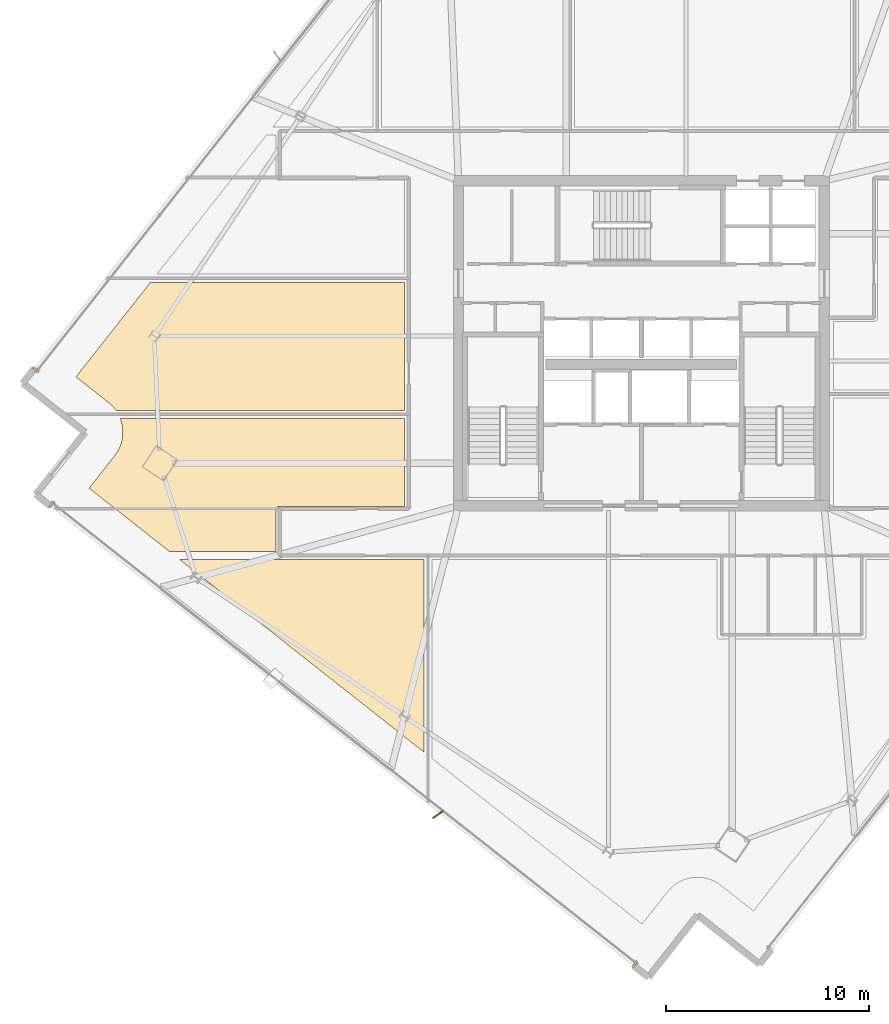
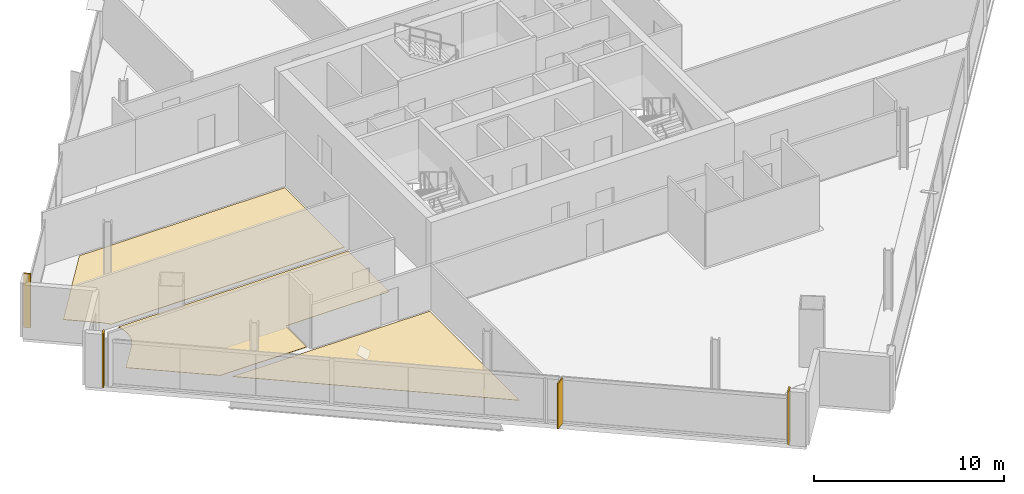
# One storey, part 24 of 28: 6 coverings, 1 shading device.
"""IFC4 building model written with IfcOpenShell, lengths in metres."""

from ifc_helpers import new_model, si_unit, direction, frame, origin, origin_2d, place, context, subcontext, project, spatial, polyline, rectangle, outline, extrude, source, transform, mapped, material, layer, layer_set, type_object, element, save


model = new_model("IFC4")

# Units and contexts
model_context = context("Model", 3, precision=1e-05, world=origin(), true_north=direction((0.0, 1.0)))
body_context = subcontext(model_context, "Body", "Model", "MODEL_VIEW")
ifc_project = project(units=[si_unit("LENGTHUNIT", "METRE"), si_unit("AREAUNIT", "SQUARE_METRE"), si_unit("VOLUMEUNIT", "CUBIC_METRE"), si_unit("PLANEANGLEUNIT", "RADIAN"), si_unit("MASSUNIT", "GRAM", prefix="KILO")], contexts=[model_context])

# Site, building, storey
site_placement = place(None, origin())
site = spatial("IfcSite", under=ifc_project, at=site_placement, CompositionType="ELEMENT")
building_placement = place(site_placement, origin())
building = spatial("IfcBuilding", under=site, at=building_placement, Name="Haldenkirk Collegiate Tower", CompositionType="ELEMENT")
storey_placement = place(building_placement, frame((0.0, 0.0, 202.199951171875)))
storey = spatial("IfcBuildingStorey", under=building, at=storey_placement, Name="L50", CompositionType="ELEMENT", Elevation=202.199951171875)

# Coverings
ifc_material_1 = material(Name="Polished collegiate terrazzo", Category="concrete")
ifc_layer_1 = layer(ifc_material_1, 0.02490234375)
ifc_layer_set_1 = layer_set([ifc_layer_1], Name="Polished collegiate terrazzo")
covering_type_1 = type_object("IfcCoveringType", Name="COV-FLOOR-TERRAZZO", PredefinedType="FLOORING", material=ifc_layer_set_1)
covering_1_placement = place(storey_placement, origin())
element("IfcCovering", 1, at=covering_1_placement, inside=storey, type_object=covering_type_1, Name="L50 academic room finish 08", PredefinedType="FLOORING", context=body_context, shape_type="SweptSolid", body=[
    extrude(outline(polyline([(10.13134765625, 22.699951171875), (10.0322265625, 22.828369140625), (10.0244140625, 22.83740234375), (9.90673828125, 22.96240234375), (9.898193359375, 22.970458984375), (9.768798828125, 23.083251953125), (9.76416015625, 23.0869140625), (8.169921875, 24.34375), (11.8408203125, 29.0), (24.35009765625, 29.0), (24.35009765625, 22.699951171875), (10.13134765625, 22.699951171875)])), origin(), (0.0, 0.0, 1.0), 0.025146484375),
])
ifc_material_2 = material(Name="Engineered collegiate oak acoustic flooring", Category="wood")
ifc_layer_2 = layer(ifc_material_2, 0.02197265625)
ifc_layer_set_2 = layer_set([ifc_layer_2], Name="Engineered collegiate oak acoustic flooring")
covering_type_2 = type_object("IfcCoveringType", Name="COV-FLOOR-TIMBER", PredefinedType="FLOORING", material=ifc_layer_set_2)
covering_2_placement = place(storey_placement, origin())
element("IfcCovering", 2, at=covering_2_placement, inside=storey, type_object=covering_type_2, Name="L50 academic room finish 01", PredefinedType="FLOORING", context=body_context, shape_type="SweptSolid", body=[
    extrude(outline(polyline([(13.279296875, 15.35009765625), (25.300048828125, 15.35009765625), (25.300048828125, 5.87353515625), (13.279296875, 15.35009765625)])), origin(), (0.0, 0.0, 1.0), 0.02197265625),
])
covering_3_placement = place(storey_placement, origin())
element("IfcCovering", 3, at=covering_3_placement, inside=storey, type_object=covering_type_2, Name="L50 academic room finish 07", PredefinedType="FLOORING", context=body_context, shape_type="SweptSolid", body=[
    extrude(outline(polyline([(10.074951171875, 20.460693359375), (10.07861328125, 20.465576171875), (10.17822265625, 20.60546875), (10.1845703125, 20.615234375), (10.27001953125, 20.764404296875), (10.275390625, 20.77490234375), (10.345703125, 20.931640625), (10.349853515625, 20.9423828125), (10.404541015625, 21.105224609375), (10.40771484375, 21.11669921875), (10.4462890625, 21.2841796875), (10.4482421875, 21.295654296875), (10.47021484375, 21.4658203125), (10.470947265625, 21.4775390625), (10.47607421875, 21.6494140625), (10.475830078125, 21.6611328125), (10.464111328125, 21.83251953125), (10.462646484375, 21.84423828125), (10.43408203125, 22.013427734375), (10.431640625, 22.02490234375), (10.38671875, 22.190673828125), (10.383056640625, 22.201904296875), (10.345703125, 22.300048828125), (24.35009765625, 22.300048828125), (24.35009765625, 17.969970703125), (18.14990234375, 17.969970703125), (18.13818359375, 17.969482421875), (18.126708984375, 17.9677734375), (18.115234375, 17.96484375), (18.10400390625, 17.9609375), (18.093505859375, 17.955810546875), (18.083251953125, 17.94970703125), (18.073974609375, 17.94287109375), (18.065185546875, 17.934814453125), (18.05712890625, 17.926025390625), (18.05029296875, 17.916748046875), (18.044189453125, 17.906494140625), (18.0390625, 17.89599609375), (18.03515625, 17.884765625), (18.0322265625, 17.873291015625), (18.030517578125, 17.86181640625), (18.030029296875, 17.85009765625), (18.030029296875, 15.75), (12.771728515625, 15.75), (8.818359375, 18.86669921875), (10.074951171875, 20.460693359375)])), origin(), (0.0, 0.0, 1.0), 0.02197265625),
])
ifc_material_3 = material(Name="Anodised architectural bronze aluminium", Category="aluminium")
ifc_layer_3 = layer(ifc_material_3, 0.06005859375)
ifc_layer_set_3 = layer_set([ifc_layer_3], Name="Anodised architectural bronze aluminium")
covering_type_3 = type_object("IfcCoveringType", Name="COV-CLAD-BRONZE-60", PredefinedType="CLADDING", material=ifc_layer_set_3)
shared_shape_1 = source(origin(), body_context, "Body", "SweptSolid", [
    extrude(rectangle(XDim=0.10009765625, YDim=0.3798828125, at=origin_2d()), origin(), (0.0, 0.0, 1.0), 3.469970703125),
])
for number, where, z_axis, x_axis, name in (
    (4, (6.190185546875, 24.70751953125, 0.0), (0.0, 0.0, 1.0), (0.61909394931, 0.785316930881, 0.0), "L50 recessed curtain-wall bronze jamb closure NJL"),
    (5, (35.673583984375, -4.57080078125, 0.0), (0.0, 0.0, 1.0), (-0.785316930881, 0.61909394931, 0.0), "L50 recessed curtain-wall bronze jamb closure WJL"),
    (6, (6.978271484375, 18.05078125, 0.0), (0.0, 0.0, 1.0), (-0.785316930881, 0.61909394931, 0.0), "L50 recessed curtain-wall bronze jamb closure WJR"),
):
    element("IfcCovering", number, at=place(storey_placement, frame(where, z_axis=z_axis, x_axis=x_axis)), inside=storey, type_object=covering_type_3, Name=name, PredefinedType="CLADDING", context=body_context, shape_type="MappedRepresentation", body=[
        mapped(shared_shape_1, transform((0.0, 0.0, 0.0), x_axis=(1.0, 0.0, 0.0), y_axis=(0.0, 1.0, 0.0), z_axis=(0.0, 0.0, 1.0), scale=1.0)),
    ])

# Shading device
ifc_layer_4 = layer(ifc_material_3, 0.06494140625)
ifc_layer_set_4 = layer_set([ifc_layer_4], Name="Anodised architectural bronze aluminium")
shading_device_type = type_object("IfcShadingDeviceType", Name="SHD-FIN-BRONZE-620", PredefinedType="USERDEFINED", material=ifc_layer_set_4)
shared_shape_2 = source(origin(), body_context, "Body", "SweptSolid", [
    extrude(rectangle(XDim=0.6201171875, YDim=0.06494140625, at=origin_2d()), origin(), (0.0, 0.0, 1.0), 2.927978515625),
])
shading_device_placement = place(storey_placement, frame((25.9892578125, 2.802490234375, 0.0), z_axis=(0.0, 0.0, 1.0), x_axis=(-0.811573981965, -0.584249665637, 0.0)))
element("IfcShadingDevice", 7, at=shading_device_placement, inside=storey, type_object=shading_device_type, Name="L50 folded bronze solar fin 1", ObjectType="FIN", PredefinedType="USERDEFINED", context=body_context, shape_type="MappedRepresentation", body=[
    mapped(shared_shape_2, transform((0.0, 0.0, 0.0), x_axis=(1.0, 0.0, 0.0), y_axis=(0.0, 1.0, 0.0), z_axis=(0.0, 0.0, 1.0), scale=1.0)),
])

save(model, "model.ifc")
